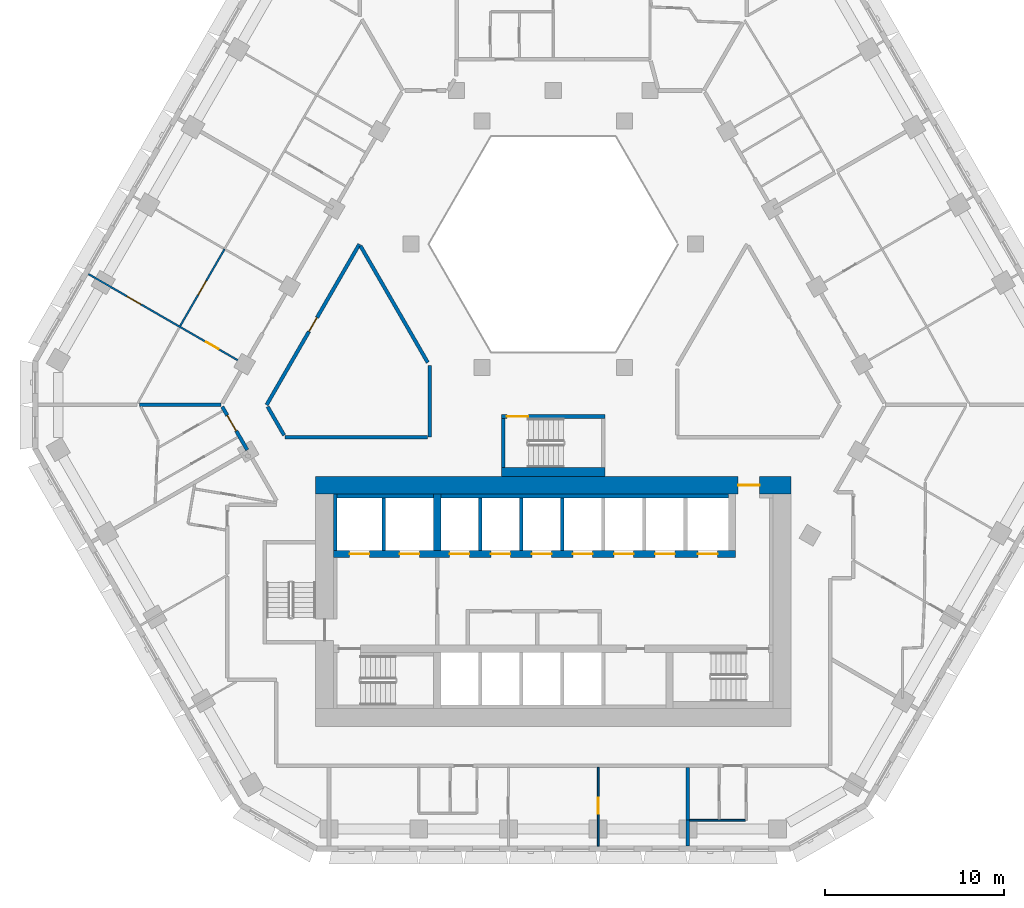
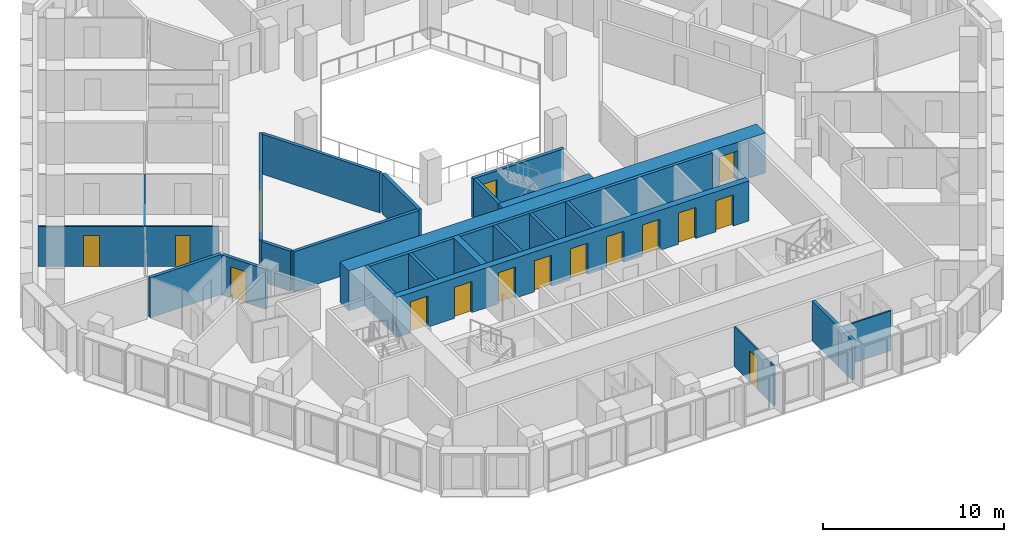
# One storey, part 5 of 18: 26 walls, 17 doors, 17 openings.
"""IFC4 building model written with IfcOpenShell, lengths in metres."""

from ifc_helpers import new_model, si_unit, direction, frame, frame_2d, origin, place, context, subcontext, project, spatial, rectangle, extrude, material, layer, layer_set, type_object, element, fill, save


model = new_model("IFC4")

# Units and contexts
model_context = context("Model", 3, precision=1e-05, world=origin(), true_north=direction((0.0, 1.0)))
body_context = subcontext(model_context, "Body", "Model", "MODEL_VIEW")
ifc_project = project(units=[si_unit("LENGTHUNIT", "METRE"), si_unit("AREAUNIT", "SQUARE_METRE"), si_unit("VOLUMEUNIT", "CUBIC_METRE"), si_unit("PLANEANGLEUNIT", "RADIAN"), si_unit("MASSUNIT", "GRAM", prefix="KILO")], contexts=[model_context])

# Site, building, storey
site_placement = place(None, origin())
site = spatial("IfcSite", under=ifc_project, at=site_placement, CompositionType="ELEMENT")
building_placement = place(site_placement, origin())
building = spatial("IfcBuilding", under=site, at=building_placement, Name="Beryl Residences", CompositionType="ELEMENT")
storey_placement = place(building_placement, frame((0.0, 0.0, 99.0)))
storey = spatial("IfcBuildingStorey", under=building, at=storey_placement, Name="L30", CompositionType="ELEMENT", Elevation=99.0)

# Wall, openings, doors
ifc_material_1 = material(Name="Gypsum board partition on steel studs", Category="steel")
ifc_layer_1 = layer(ifc_material_1, 0.10009765625)
ifc_layer_set_1 = layer_set([ifc_layer_1], Name="PT1 partition 100 mm gypsum board on steel studs")
wall_type_1 = type_object("IfcWallType", Name="PT1 partition 100 mm gypsum board on steel studs", PredefinedType="PARTITIONING", material=ifc_layer_set_1)
wall_1_placement = place(storey_placement, frame((-26.02490234375, 6.324951171875, 0.0), z_axis=(0.0, 0.0, 1.0), x_axis=(0.866041268327, -0.499972520799, 0.0)))
wall_1 = element("IfcWall", 1, at=wall_1_placement, inside=storey, type_object=wall_type_1, Name="Wall PT1 L30 018", PredefinedType="PARTITIONING", context=body_context, shape_type="SweptSolid", body=[
    extrude(rectangle(XDim=10.00048828125, YDim=0.10009765625, at=frame_2d((5.000244140625, 0.0))), origin(), (0.0, 0.0, 1.0), 2.699951171875),
])
opening_1_placement = place(wall_1_placement, frame((7.60107421875, 0.0, 0.0)))
opening_1 = element("IfcOpeningElement", 2, at=opening_1_placement, cuts=wall_1, Name="Opening D0751", PredefinedType="OPENING", context=body_context, shape_type="SweptSolid", body=[
    extrude(rectangle(XDim=0.800048828125, YDim=2.10009765625, at=frame_2d((0.39990234375, 1.050048828125))), frame((0.0, 0.06005859375, 0.0), z_axis=(0.0, -1.0, 0.0), x_axis=(1.0, 0.0, 0.0)), (0.0, 0.0, 1.0), 0.1201171875),
])
opening_2_placement = place(wall_1_placement, frame((2.5, 0.0, 0.0)))
opening_2 = element("IfcOpeningElement", 3, at=opening_2_placement, cuts=wall_1, Name="Opening D0753", PredefinedType="OPENING", context=body_context, shape_type="SweptSolid", body=[
    extrude(rectangle(XDim=0.89990234375, YDim=2.10009765625, at=frame_2d((0.449951171875, 1.050048828125))), frame((0.0, 0.06005859375, 0.0), z_axis=(0.0, -1.0, 0.0), x_axis=(1.0, 0.0, 0.0)), (0.0, 0.0, 1.0), 0.1201171875),
])
ifc_material_2 = material(Name="Timber door leaf", Category="wood")
door_type_1 = type_object("IfcDoorType", Name="D2 room door 900 x 2100 mm", OperationType="SINGLE_SWING_LEFT", PredefinedType="DOOR", material=ifc_material_2)
door_1_placement = place(opening_2_placement, origin())
door_1 = element("IfcDoor", 4, at=door_1_placement, inside=storey, type_object=door_type_1, Name="Door D0753 L30 001", OperationType="SINGLE_SWING_LEFT", OverallHeight=2.10009765625, OverallWidth=0.89990234375, PredefinedType="DOOR", context=body_context, shape_type="SweptSolid", body=[
    extrude(rectangle(XDim=0.89990234375, YDim=2.10009765625, at=frame_2d((0.449951171875, 1.050048828125))), frame((0.0, 0.02490234375, 0.0), z_axis=(0.0, -1.0, 0.0), x_axis=(1.0, 0.0, 0.0)), (0.0, 0.0, 1.0), 0.050048828125),
])
fill(opening_2, door_1)
ifc_material_3 = material(Name="Timber door leaf", Category="wood")
door_type_2 = type_object("IfcDoorType", Name="D3 bathroom door 800 x 2100 mm", OperationType="SINGLE_SWING_LEFT", PredefinedType="DOOR", material=ifc_material_3)
door_2_placement = place(opening_1_placement, origin())
door_2 = element("IfcDoor", 5, at=door_2_placement, inside=storey, type_object=door_type_2, Name="Door D0751 L30 001", OperationType="SINGLE_SWING_LEFT", OverallHeight=2.10009765625, OverallWidth=0.800048828125, PredefinedType="DOOR", context=body_context, shape_type="SweptSolid", body=[
    extrude(rectangle(XDim=0.800048828125, YDim=2.10009765625, at=frame_2d((0.39990234375, 1.050048828125))), frame((0.0, 0.02490234375, 0.0), z_axis=(0.0, -1.0, 0.0), x_axis=(1.0, 0.0, 0.0)), (0.0, 0.0, 1.0), 0.050048828125),
])
fill(opening_1, door_2)

# Wall
wall_2_placement = place(storey_placement, frame((7.635009765625, -24.260009765625, 0.0), z_axis=(0.0, 0.0, 1.0), x_axis=(1.0, 0.0, 0.0)))
element("IfcWall", 6, at=wall_2_placement, inside=storey, type_object=wall_type_1, Name="Wall PT1 L30 028", PredefinedType="PARTITIONING", context=body_context, shape_type="SweptSolid", body=[
    extrude(rectangle(XDim=3.114013671875, YDim=0.10009765625, at=frame_2d((1.55712890625, 0.0))), origin(), (0.0, 0.0, 1.0), 2.699951171875),
])

# Wall, opening, door
wall_3_placement = place(storey_placement, frame((-20.889892578125, 3.41796875, 0.0), z_axis=(0.0, 0.0, 1.0), x_axis=(0.500014231302, 0.866017187182, 0.0)))
wall_3 = element("IfcWall", 7, at=wall_3_placement, inside=storey, type_object=wall_type_1, Name="Wall PT1 L30 032", PredefinedType="PARTITIONING", context=body_context, shape_type="SweptSolid", body=[
    extrude(rectangle(XDim=4.973388671875, YDim=0.10009765625, at=frame_2d((2.48681640625, 0.0))), origin(), (0.0, 0.0, 1.0), 2.699951171875),
])
opening_3_placement = place(wall_3_placement, frame((2.010986328125, 0.0, 0.0)))
opening_3 = element("IfcOpeningElement", 8, at=opening_3_placement, cuts=wall_3, Name="Opening D0750", PredefinedType="OPENING", context=body_context, shape_type="SweptSolid", body=[
    extrude(rectangle(XDim=0.89990234375, YDim=2.10009765625, at=frame_2d((0.449951171875, 1.050048828125))), frame((0.0, 0.06005859375, 0.0), z_axis=(0.0, -1.0, 0.0), x_axis=(1.0, 0.0, 0.0)), (0.0, 0.0, 1.0), 0.1201171875),
])
door_3_placement = place(opening_3_placement, origin())
door_3 = element("IfcDoor", 9, at=door_3_placement, inside=storey, type_object=door_type_1, Name="Door D0750 L30 001", OperationType="SINGLE_SWING_RIGHT", OverallHeight=2.10009765625, OverallWidth=0.89990234375, PredefinedType="DOOR", context=body_context, shape_type="SweptSolid", body=[
    extrude(rectangle(XDim=0.89990234375, YDim=2.10009765625, at=frame_2d((0.449951171875, 1.050048828125))), frame((0.0, 0.02490234375, 0.0), z_axis=(0.0, -1.0, 0.0), x_axis=(1.0, 0.0, 0.0)), (0.0, 0.0, 1.0), 0.050048828125),
])
fill(opening_3, door_3)

wall_4_placement = place(storey_placement, frame((2.511962890625, -25.699951171875, 0.0), z_axis=(0.0, 0.0, 1.0), x_axis=(0.0, 1.0, 0.0)))
wall_4 = element("IfcWall", 10, at=wall_4_placement, inside=storey, type_object=wall_type_1, Name="Wall PT1 L30 044", PredefinedType="PARTITIONING", context=body_context, shape_type="SweptSolid", body=[
    extrude(rectangle(XDim=4.39990234375, YDim=0.10009765625, at=frame_2d((2.199951171875, 0.0))), origin(), (0.0, 0.0, 1.0), 2.699951171875),
])
opening_4_placement = place(wall_4_placement, frame((1.800048828125, 0.0, 0.0)))
opening_4 = element("IfcOpeningElement", 11, at=opening_4_placement, cuts=wall_4, Name="Opening D0710", PredefinedType="OPENING", context=body_context, shape_type="SweptSolid", body=[
    extrude(rectangle(XDim=0.89990234375, YDim=2.10009765625, at=frame_2d((0.449951171875, 1.050048828125))), frame((0.0, 0.06005859375, 0.0), z_axis=(0.0, -1.0, 0.0), x_axis=(1.0, 0.0, 0.0)), (0.0, 0.0, 1.0), 0.1201171875),
])
door_4_placement = place(opening_4_placement, origin())
door_4 = element("IfcDoor", 12, at=door_4_placement, inside=storey, type_object=door_type_1, Name="Door D0710 L30 001", OperationType="SINGLE_SWING_RIGHT", OverallHeight=2.10009765625, OverallWidth=0.89990234375, PredefinedType="DOOR", context=body_context, shape_type="SweptSolid", body=[
    extrude(rectangle(XDim=0.89990234375, YDim=2.10009765625, at=frame_2d((0.449951171875, 1.050048828125))), frame((0.0, 0.02490234375, 0.0), z_axis=(0.0, -1.0, 0.0), x_axis=(1.0, 0.0, 0.0)), (0.0, 0.0, 1.0), 0.050048828125),
])
fill(opening_4, door_4)

# Walls
ifc_material_4 = material(Name="Acoustic double stud gypsum board wall")
ifc_layer_2 = layer(ifc_material_4, 0.199951171875)
ifc_layer_set_2 = layer_set([ifc_layer_2], Name="PT3 party wall 200 mm acoustic double stud")
wall_type_2 = type_object("IfcWallType", Name="PT3 party wall 200 mm acoustic double stud", PredefinedType="PARTITIONING", material=ifc_layer_set_2)
wall_5_placement = place(storey_placement, frame((7.534912109375, -21.300048828125, 0.0), z_axis=(0.0, 0.0, 1.0), x_axis=(0.0, -1.0, 0.0)))
element("IfcWall", 13, at=wall_5_placement, inside=storey, type_object=wall_type_2, Name="Wall PT3 L30 003", PredefinedType="PARTITIONING", context=body_context, shape_type="SweptSolid", body=[
    extrude(rectangle(XDim=2.97998046875, YDim=0.199951171875, at=frame_2d((1.489990234375, 0.0))), origin(), (0.0, 0.0, 1.0), 2.699951171875),
])
wall_6_placement = place(storey_placement, frame((-23.1640625, -1.0009765625, 0.0), z_axis=(0.0, 0.0, 1.0), x_axis=(1.0, 0.0, 0.0)))
element("IfcWall", 14, at=wall_6_placement, inside=storey, type_object=wall_type_2, Name="Wall PT3 L30 009", PredefinedType="PARTITIONING", context=body_context, shape_type="SweptSolid", body=[
    extrude(rectangle(XDim=4.572998046875, YDim=0.199951171875, at=frame_2d((2.28662109375, 0.0))), origin(), (0.0, 0.0, 1.0), 2.699951171875),
])
wall_7_placement = place(storey_placement, frame((7.534912109375, -25.699951171875, 0.0), z_axis=(0.0, 0.0, 1.0), x_axis=(0.0, 1.0, 0.0)))
element("IfcWall", 15, at=wall_7_placement, inside=storey, type_object=wall_type_2, Name="Wall PT3 L30 013", PredefinedType="PARTITIONING", context=body_context, shape_type="SweptSolid", body=[
    extrude(rectangle(XDim=1.4599609375, YDim=0.199951171875, at=frame_2d((0.72998046875, 0.0))), origin(), (0.0, 0.0, 1.0), 2.699951171875),
])
ifc_material_5 = material(Name="Double stud gypsum board wall")
ifc_layer_3 = layer(ifc_material_5, 0.199951171875)
ifc_layer_set_3 = layer_set([ifc_layer_3], Name="PT4 corridor wall 200 mm double stud")
wall_type_3 = type_object("IfcWallType", Name="PT4 corridor wall 200 mm double stud", PredefinedType="PARTITIONING", material=ifc_layer_set_3)
wall_8_placement = place(storey_placement, frame((-10.7958984375, 7.89892578125, 0.0), z_axis=(0.0, 0.0, 1.0), x_axis=(0.500010383074, -0.866019409031, 0.0)))
element("IfcWall", 16, at=wall_8_placement, inside=storey, type_object=wall_type_3, Name="Wall PT4 L30 001", PredefinedType="PARTITIONING", context=body_context, shape_type="SweptSolid", body=[
    extrude(rectangle(XDim=7.535400390625, YDim=0.199951171875, at=frame_2d((3.767578125, 0.0))), origin(), (0.0, 0.0, 1.0), 2.699951171875),
])
wall_9_placement = place(storey_placement, frame((-15.992919921875, -1.10107421875, 0.0), z_axis=(0.0, 0.0, 1.0), x_axis=(0.499894174133, -0.866086493757, 0.0)))
element("IfcWall", 17, at=wall_9_placement, inside=storey, type_object=wall_type_3, Name="Wall PT4 L30 002", PredefinedType="PARTITIONING", context=body_context, shape_type="SweptSolid", body=[
    extrude(rectangle(XDim=1.84619140625, YDim=0.199951171875, at=frame_2d((0.923095703125, 0.0))), origin(), (0.0, 0.0, 1.0), 2.699951171875),
])

# Wall, opening, door
wall_10_placement = place(storey_placement, frame((-18.532958984375, -1.10107421875, 0.0), z_axis=(0.0, 0.0, 1.0), x_axis=(0.500135180047, -0.865947343479, 0.0)))
wall_10 = element("IfcWall", 18, at=wall_10_placement, inside=storey, type_object=wall_type_3, Name="Wall PT4 L30 003", PredefinedType="PARTITIONING", context=body_context, shape_type="SweptSolid", body=[
    extrude(rectangle(XDim=2.799072265625, YDim=0.199951171875, at=frame_2d((1.3994140625, 0.0))), origin(), (0.0, 0.0, 1.0), 2.699951171875),
])
opening_5_placement = place(wall_10_placement, frame((0.56201171875, 0.0, 0.0)))
opening_5 = element("IfcOpeningElement", 19, at=opening_5_placement, cuts=wall_10, Name="Opening D0755", PredefinedType="OPENING", context=body_context, shape_type="SweptSolid", body=[
    extrude(rectangle(XDim=1.0, YDim=2.10009765625, at=frame_2d((0.5, 1.050048828125))), frame((0.0, 0.10986328125, 0.0), z_axis=(0.0, -1.0, 0.0), x_axis=(1.0, 0.0, 0.0)), (0.0, 0.0, 1.0), 0.219970703125),
])
ifc_material_6 = material(Name="Timber door leaf", Category="wood")
door_type_3 = type_object("IfcDoorType", Name="D1 flat entrance door 1000 x 2100 mm", OperationType="SINGLE_SWING_LEFT", PredefinedType="DOOR", material=ifc_material_6)
door_5_placement = place(opening_5_placement, origin())
door_5 = element("IfcDoor", 20, at=door_5_placement, inside=storey, type_object=door_type_3, Name="Door D0755 L30 001", OperationType="SINGLE_SWING_LEFT", OverallHeight=2.10009765625, OverallWidth=1.0, PredefinedType="DOOR", context=body_context, shape_type="SweptSolid", body=[
    extrude(rectangle(XDim=1.0, YDim=2.10009765625, at=frame_2d((0.5, 1.050048828125))), frame((0.0, 0.02490234375, 0.0), z_axis=(0.0, -1.0, 0.0), x_axis=(1.0, 0.0, 0.0)), (0.0, 0.0, 1.0), 0.050048828125),
])
fill(opening_5, door_5)

# Wall
wall_11_placement = place(storey_placement, frame((-15.010986328125, -2.800048828125, 0.0), z_axis=(0.0, 0.0, 1.0), x_axis=(1.0, 0.0, 0.0)))
element("IfcWall", 21, at=wall_11_placement, inside=storey, type_object=wall_type_3, Name="Wall PT4 L30 017", PredefinedType="PARTITIONING", context=body_context, shape_type="SweptSolid", body=[
    extrude(rectangle(XDim=7.98193359375, YDim=0.199951171875, at=frame_2d((3.990966796875, 0.0))), origin(), (0.0, 0.0, 1.0), 2.699951171875),
])

# Wall, opening, door
wall_12_placement = place(storey_placement, frame((-16.050048828125, -1.0, 0.0), z_axis=(0.0, 0.0, 1.0), x_axis=(0.499962449088, 0.866047082728, 0.0)))
wall_12 = element("IfcWall", 22, at=wall_12_placement, inside=storey, type_object=wall_type_3, Name="Wall PT4 L30 026", PredefinedType="PARTITIONING", context=body_context, shape_type="SweptSolid", body=[
    extrude(rectangle(XDim=10.390869140625, YDim=0.199951171875, at=frame_2d((5.1953125, 0.0))), origin(), (0.0, 0.0, 1.0), 2.699951171875),
])
opening_6_placement = place(wall_12_placement, frame((4.7451171875, 0.0, 0.0)))
opening_6 = element("IfcOpeningElement", 23, at=opening_6_placement, cuts=wall_12, Name="Opening D0759", PredefinedType="OPENING", context=body_context, shape_type="SweptSolid", body=[
    extrude(rectangle(XDim=0.89990234375, YDim=2.10009765625, at=frame_2d((0.449951171875, 1.050048828125))), frame((0.0, 0.10986328125, 0.0), z_axis=(0.0, -1.0, 0.0), x_axis=(1.0, 0.0, 0.0)), (0.0, 0.0, 1.0), 0.219970703125),
])
door_6_placement = place(opening_6_placement, origin())
door_6 = element("IfcDoor", 24, at=door_6_placement, inside=storey, type_object=door_type_1, Name="Door D0759 L30 001", OperationType="SINGLE_SWING_LEFT", OverallHeight=2.10009765625, OverallWidth=0.89990234375, PredefinedType="DOOR", context=body_context, shape_type="SweptSolid", body=[
    extrude(rectangle(XDim=0.89990234375, YDim=2.10009765625, at=frame_2d((0.449951171875, 1.050048828125))), frame((0.0, 0.02490234375, 0.0), z_axis=(0.0, -1.0, 0.0), x_axis=(1.0, 0.0, 0.0)), (0.0, 0.0, 1.0), 0.050048828125),
])
fill(opening_6, door_6)

# Wall
wall_13_placement = place(storey_placement, frame((-6.927978515625, -2.799072265625, 0.0), z_axis=(0.0, 0.0, 1.0), x_axis=(0.0, 1.0, 0.0)))
element("IfcWall", 25, at=wall_13_placement, inside=storey, type_object=wall_type_3, Name="Wall PT4 L30 032", PredefinedType="PARTITIONING", context=body_context, shape_type="SweptSolid", body=[
    extrude(rectangle(XDim=3.9990234375, YDim=0.199951171875, at=frame_2d((1.99951171875, 0.0))), origin(), (0.0, 0.0, 1.0), 2.699951171875),
])

# Wall, opening, door
ifc_material_7 = material(Name="Concrete C40/50", Category="concrete")
ifc_layer_4 = layer(ifc_material_7, 0.199951171875)
ifc_layer_set_4 = layer_set([ifc_layer_4], Name="PT5 stair enclosure wall 200 mm reinforced concrete C40/50")
wall_type_4 = type_object("IfcWallType", Name="PT5 stair enclosure wall 200 mm reinforced concrete C40/50", PredefinedType="SOLIDWALL", material=ifc_layer_set_4)
wall_14_placement = place(storey_placement, frame((-2.89990234375, -1.64990234375, 0.0), z_axis=(0.0, 0.0, 1.0), x_axis=(1.0, 0.0, 0.0)))
wall_14 = element("IfcWall", 26, at=wall_14_placement, inside=storey, type_object=wall_type_4, Name="Wall PT5 L30 001", PredefinedType="SOLIDWALL", context=body_context, shape_type="SweptSolid", body=[
    extrude(rectangle(XDim=5.7998046875, YDim=0.199951171875, at=frame_2d((2.89990234375, 0.0))), origin(), (0.0, 0.0, 1.0), 2.699951171875),
])
opening_7_placement = place(wall_14_placement, frame((0.300048828125, 0.0, 0.0)))
opening_7 = element("IfcOpeningElement", 27, at=opening_7_placement, cuts=wall_14, Name="Opening DS04", PredefinedType="OPENING", context=body_context, shape_type="SweptSolid", body=[
    extrude(rectangle(XDim=1.199951171875, YDim=2.10009765625, at=frame_2d((0.60009765625, 1.050048828125))), frame((0.0, 0.10986328125, 0.0), z_axis=(0.0, -1.0, 0.0), x_axis=(1.0, 0.0, 0.0)), (0.0, 0.0, 1.0), 0.219970703125),
])
ifc_material_8 = material(Name="Steel door leaf in steel frame", Category="steel")
door_type_4 = type_object("IfcDoorType", Name="D4 stair door 1200 x 2100 mm", OperationType="SINGLE_SWING_LEFT", PredefinedType="DOOR", material=ifc_material_8)
door_7_placement = place(opening_7_placement, origin())
door_7 = element("IfcDoor", 28, at=door_7_placement, inside=storey, type_object=door_type_4, Name="Door DS04 L30 001", OperationType="SINGLE_SWING_LEFT", OverallHeight=2.10009765625, OverallWidth=1.199951171875, PredefinedType="DOOR", context=body_context, shape_type="SweptSolid", body=[
    extrude(rectangle(XDim=1.199951171875, YDim=2.10009765625, at=frame_2d((0.60009765625, 1.050048828125))), frame((0.0, 0.02490234375, 0.0), z_axis=(0.0, -1.0, 0.0), x_axis=(1.0, 0.0, 0.0)), (0.0, 0.0, 1.0), 0.050048828125),
])
fill(opening_7, door_7)

# Walls
wall_15_placement = place(storey_placement, frame((-2.800048828125, -4.5, 0.0), z_axis=(0.0, 0.0, 1.0), x_axis=(0.0, 1.0, 0.0)))
element("IfcWall", 29, at=wall_15_placement, inside=storey, type_object=wall_type_4, Name="Wall PT5 L30 002", PredefinedType="SOLIDWALL", context=body_context, shape_type="SweptSolid", body=[
    extrude(rectangle(XDim=2.75, YDim=0.199951171875, at=frame_2d((1.375, 0.0))), origin(), (0.0, 0.0, 1.0), 2.699951171875),
])
ifc_material_9 = material(Name="Concrete C40/50", Category="concrete")
ifc_layer_5 = layer(ifc_material_9, 0.5)
ifc_layer_set_5 = layer_set([ifc_layer_5], Name="PT5-500 stair enclosure wall 500 mm")
wall_type_5 = type_object("IfcWallType", Name="PT5-500 stair enclosure wall 500 mm", PredefinedType="SOLIDWALL", material=ifc_layer_set_5)
wall_16_placement = place(storey_placement, frame((-2.89990234375, -4.75, 0.0), z_axis=(0.0, 0.0, 1.0), x_axis=(1.0, 0.0, 0.0)))
element("IfcWall", 30, at=wall_16_placement, inside=storey, type_object=wall_type_5, Name="Wall PT5-500 L30 001", PredefinedType="SOLIDWALL", context=body_context, shape_type="SweptSolid", body=[
    extrude(rectangle(XDim=5.7998046875, YDim=0.5, at=frame_2d((2.89990234375, 0.0))), origin(), (0.0, 0.0, 1.0), 2.699951171875),
])
ifc_material_10 = material(Name="Concrete C40/50", Category="concrete")
ifc_layer_6 = layer(ifc_material_10, 0.199951171875)
ifc_layer_set_6 = layer_set([ifc_layer_6], Name="PT6 lift shaft wall 200 mm reinforced concrete C40/50")
wall_type_6 = type_object("IfcWallType", Name="PT6 lift shaft wall 200 mm reinforced concrete C40/50", PredefinedType="SOLIDWALL", material=ifc_layer_set_6)
wall_17_placement = place(storey_placement, frame((-12.199951171875, -9.14990234375, 0.0), z_axis=(0.0, 0.0, 1.0), x_axis=(0.0, 1.0, 0.0)))
element("IfcWall", 31, at=wall_17_placement, inside=storey, type_object=wall_type_6, Name="Lift shaft wall 06", PredefinedType="SOLIDWALL", context=body_context, shape_type="SweptSolid", body=[
    extrude(rectangle(XDim=3.14990234375, YDim=0.199951171875, at=frame_2d((1.574951171875, 0.0))), origin(), (0.0, 0.0, 1.0), 2.699951171875),
])
wall_18_placement = place(storey_placement, frame((-12.10009765625, -6.10009765625, 0.0), z_axis=(0.0, 0.0, 1.0), x_axis=(1.0, 0.0, 0.0)))
element("IfcWall", 32, at=wall_18_placement, inside=storey, type_object=wall_type_6, Name="Lift shaft wall 08", PredefinedType="SOLIDWALL", context=body_context, shape_type="SweptSolid", body=[
    extrude(rectangle(XDim=5.400146484375, YDim=0.199951171875, at=frame_2d((2.7001953125, 0.0))), origin(), (0.0, 0.0, 1.0), 2.699951171875),
])
wall_19_placement = place(storey_placement, frame((-9.5, -9.14990234375, 0.0), z_axis=(0.0, 0.0, 1.0), x_axis=(0.0, 1.0, 0.0)))
element("IfcWall", 33, at=wall_19_placement, inside=storey, type_object=wall_type_6, Name="Lift shaft wall 10", PredefinedType="SOLIDWALL", context=body_context, shape_type="SweptSolid", body=[
    extrude(rectangle(XDim=2.949951171875, YDim=0.199951171875, at=frame_2d((1.47509765625, 0.0))), origin(), (0.0, 0.0, 1.0), 2.699951171875),
])
wall_20_placement = place(storey_placement, frame((-6.300048828125, -6.10009765625, 0.0), z_axis=(0.0, 0.0, 1.0), x_axis=(1.0, 0.0, 0.0)))
element("IfcWall", 34, at=wall_20_placement, inside=storey, type_object=wall_type_6, Name="Lift shaft wall 13", PredefinedType="SOLIDWALL", context=body_context, shape_type="SweptSolid", body=[
    extrude(rectangle(XDim=16.10009765625, YDim=0.199951171875, at=frame_2d((8.050048828125, 0.0))), origin(), (0.0, 0.0, 1.0), 2.699951171875),
])
for number, where, z_axis, x_axis, name in (
    (35, (-4.10009765625, -9.14990234375, 0.0), (0.0, 0.0, 1.0), (0.0, 1.0, 0.0), "Lift shaft wall 17"),
    (36, (-1.800048828125, -9.14990234375, 0.0), (0.0, 0.0, 1.0), (0.0, 1.0, 0.0), "Lift shaft wall 19"),
    (37, (0.5, -9.14990234375, 0.0), (0.0, 0.0, 1.0), (0.0, 1.0, 0.0), "Lift shaft wall 22"),
):
    element("IfcWall", number, at=place(storey_placement, frame(where, z_axis=z_axis, x_axis=x_axis)), inside=storey, type_object=wall_type_6, Name=name, PredefinedType="SOLIDWALL", context=body_context, shape_type="SweptSolid", body=[
        extrude(rectangle(XDim=2.949951171875, YDim=0.199951171875, at=frame_2d((1.47509765625, 0.0))), origin(), (0.0, 0.0, 1.0), 2.699951171875),
    ])

# Wall, opening, door
ifc_material_11 = material(Name="Concrete C70/85", Category="concrete")
ifc_layer_7 = layer(ifc_material_11, 1.0)
ifc_layer_set_7 = layer_set([ifc_layer_7], Name="SW2 core outer wall 1000 mm C70/85")
wall_type_7 = type_object("IfcWallType", Name="SW2 core outer wall 1000 mm C70/85", PredefinedType="SHEAR", material=ifc_layer_set_7)
wall_21_placement = place(storey_placement, frame((-13.300048828125, -5.5, 0.0), z_axis=(0.0, 0.0, 1.0), x_axis=(1.0, 0.0, 0.0)))
wall_21 = element("IfcWall", 38, at=wall_21_placement, inside=storey, type_object=wall_type_7, Name="Core wall N L30", PredefinedType="SHEAR", context=body_context, shape_type="SweptSolid", body=[
    extrude(rectangle(XDim=26.60009765625, YDim=1.0, at=frame_2d((13.300048828125, 0.0))), origin(), (0.0, 0.0, 1.0), 2.699951171875),
])
opening_8_placement = place(wall_21_placement, frame((23.64990234375, 0.0, 0.0)))
opening_8 = element("IfcOpeningElement", 39, at=opening_8_placement, cuts=wall_21, Name="Opening FD-NORTH", PredefinedType="OPENING", context=body_context, shape_type="SweptSolid", body=[
    extrude(rectangle(XDim=1.199951171875, YDim=2.10009765625, at=frame_2d((0.60009765625, 1.050048828125))), frame((0.0, 0.510009765625, 0.0), z_axis=(0.0, -1.0, 0.0), x_axis=(1.0, 0.0, 0.0)), (0.0, 0.0, 1.0), 1.02001953125),
])
ifc_material_12 = material(Name="Steel door leaf in steel frame", Category="steel")
door_type_5 = type_object("IfcDoorType", Name="D22 lobby door 1200 x 2100 mm", OperationType="DOUBLE_DOOR_SINGLE_SWING", PredefinedType="DOOR", material=ifc_material_12)
door_8_placement = place(opening_8_placement, origin())
door_8 = element("IfcDoor", 40, at=door_8_placement, inside=storey, type_object=door_type_5, Name="Door FD-NORTH L30 001", OperationType="DOUBLE_DOOR_SINGLE_SWING", OverallHeight=2.10009765625, OverallWidth=1.199951171875, PredefinedType="DOOR", context=body_context, shape_type="SweptSolid", body=[
    extrude(rectangle(XDim=1.199951171875, YDim=2.10009765625, at=frame_2d((0.60009765625, 1.050048828125))), frame((0.0, 0.02490234375, 0.0), z_axis=(0.0, -1.0, 0.0), x_axis=(1.0, 0.0, 0.0)), (0.0, 0.0, 1.0), 0.050048828125),
])
fill(opening_8, door_8)

# Wall, openings, doors
ifc_material_13 = material(Name="Concrete C70/85", Category="concrete")
ifc_layer_8 = layer(ifc_material_13, 0.39990234375)
ifc_layer_set_8 = layer_set([ifc_layer_8], Name="SW7 core internal wall 400 mm C70/85")
wall_type_8 = type_object("IfcWallType", Name="SW7 core internal wall 400 mm C70/85", PredefinedType="SHEAR", material=ifc_layer_set_8)
wall_22_placement = place(storey_placement, frame((-12.300048828125, -9.35009765625, 0.0), z_axis=(0.0, 0.0, 1.0), x_axis=(1.0, 0.0, 0.0)))
wall_22 = element("IfcWall", 41, at=wall_22_placement, inside=storey, type_object=wall_type_8, Name="Core wall SP2 L30", PredefinedType="SHEAR", context=body_context, shape_type="SweptSolid", body=[
    extrude(rectangle(XDim=22.5, YDim=0.39990234375, at=frame_2d((11.25, 0.0))), origin(), (0.0, 0.0, 1.0), 2.699951171875),
])
opening_9_placement = place(wall_22_placement, frame((0.89990234375, 0.0, 0.0)))
opening_9 = element("IfcOpeningElement", 42, at=opening_9_placement, cuts=wall_22, Name="Opening LD-FF1", PredefinedType="OPENING", context=body_context, shape_type="SweptSolid", body=[
    extrude(rectangle(XDim=1.10009765625, YDim=2.10009765625, at=frame_2d((0.550048828125, 1.050048828125))), frame((0.0, 0.2099609375, 0.0), z_axis=(0.0, -1.0, 0.0), x_axis=(1.0, 0.0, 0.0)), (0.0, 0.0, 1.0), 0.419921875),
])
opening_10_placement = place(wall_22_placement, frame((3.699951171875, 0.0, 0.0)))
opening_10 = element("IfcOpeningElement", 43, at=opening_10_placement, cuts=wall_22, Name="Opening LD-FF2", PredefinedType="OPENING", context=body_context, shape_type="SweptSolid", body=[
    extrude(rectangle(XDim=1.10009765625, YDim=2.10009765625, at=frame_2d((0.550048828125, 1.050048828125))), frame((0.0, 0.2099609375, 0.0), z_axis=(0.0, -1.0, 0.0), x_axis=(1.0, 0.0, 0.0)), (0.0, 0.0, 1.0), 0.419921875),
])
opening_11_placement = place(wall_22_placement, frame((6.5, 0.0, 0.0)))
opening_11 = element("IfcOpeningElement", 44, at=opening_11_placement, cuts=wall_22, Name="Opening LD-LR1", PredefinedType="OPENING", context=body_context, shape_type="SweptSolid", body=[
    extrude(rectangle(XDim=1.10009765625, YDim=2.10009765625, at=frame_2d((0.550048828125, 1.050048828125))), frame((0.0, 0.2099609375, 0.0), z_axis=(0.0, -1.0, 0.0), x_axis=(1.0, 0.0, 0.0)), (0.0, 0.0, 1.0), 0.419921875),
])
opening_12_placement = place(wall_22_placement, frame((8.800048828125, 0.0, 0.0)))
opening_12 = element("IfcOpeningElement", 45, at=opening_12_placement, cuts=wall_22, Name="Opening LD-LR2", PredefinedType="OPENING", context=body_context, shape_type="SweptSolid", body=[
    extrude(rectangle(XDim=1.10009765625, YDim=2.10009765625, at=frame_2d((0.550048828125, 1.050048828125))), frame((0.0, 0.2099609375, 0.0), z_axis=(0.0, -1.0, 0.0), x_axis=(1.0, 0.0, 0.0)), (0.0, 0.0, 1.0), 0.419921875),
])
opening_13_placement = place(wall_22_placement, frame((11.10009765625, 0.0, 0.0)))
opening_13 = element("IfcOpeningElement", 46, at=opening_13_placement, cuts=wall_22, Name="Opening LD-LR3", PredefinedType="OPENING", context=body_context, shape_type="SweptSolid", body=[
    extrude(rectangle(XDim=1.10009765625, YDim=2.10009765625, at=frame_2d((0.550048828125, 1.050048828125))), frame((0.0, 0.2099609375, 0.0), z_axis=(0.0, -1.0, 0.0), x_axis=(1.0, 0.0, 0.0)), (0.0, 0.0, 1.0), 0.419921875),
])
opening_14_placement = place(wall_22_placement, frame((13.39990234375, 0.0, 0.0)))
opening_14 = element("IfcOpeningElement", 47, at=opening_14_placement, cuts=wall_22, Name="Opening LD-LR4", PredefinedType="OPENING", context=body_context, shape_type="SweptSolid", body=[
    extrude(rectangle(XDim=1.10009765625, YDim=2.10009765625, at=frame_2d((0.550048828125, 1.050048828125))), frame((0.0, 0.2099609375, 0.0), z_axis=(0.0, -1.0, 0.0), x_axis=(1.0, 0.0, 0.0)), (0.0, 0.0, 1.0), 0.419921875),
])
opening_15_placement = place(wall_22_placement, frame((15.699951171875, 0.0, 0.0)))
opening_15 = element("IfcOpeningElement", 48, at=opening_15_placement, cuts=wall_22, Name="Opening LD-LR5", PredefinedType="OPENING", context=body_context, shape_type="SweptSolid", body=[
    extrude(rectangle(XDim=1.10009765625, YDim=2.10009765625, at=frame_2d((0.550048828125, 1.050048828125))), frame((0.0, 0.2099609375, 0.0), z_axis=(0.0, -1.0, 0.0), x_axis=(1.0, 0.0, 0.0)), (0.0, 0.0, 1.0), 0.419921875),
])
opening_16_placement = place(wall_22_placement, frame((18.0, 0.0, 0.0)))
opening_16 = element("IfcOpeningElement", 49, at=opening_16_placement, cuts=wall_22, Name="Opening LD-LR6", PredefinedType="OPENING", context=body_context, shape_type="SweptSolid", body=[
    extrude(rectangle(XDim=1.10009765625, YDim=2.10009765625, at=frame_2d((0.550048828125, 1.050048828125))), frame((0.0, 0.2099609375, 0.0), z_axis=(0.0, -1.0, 0.0), x_axis=(1.0, 0.0, 0.0)), (0.0, 0.0, 1.0), 0.419921875),
])
opening_17_placement = place(wall_22_placement, frame((20.39990234375, 0.0, 0.0)))
opening_17 = element("IfcOpeningElement", 50, at=opening_17_placement, cuts=wall_22, Name="Opening LD-SL1", PredefinedType="OPENING", context=body_context, shape_type="SweptSolid", body=[
    extrude(rectangle(XDim=1.10009765625, YDim=2.10009765625, at=frame_2d((0.550048828125, 1.050048828125))), frame((0.0, 0.2099609375, 0.0), z_axis=(0.0, -1.0, 0.0), x_axis=(1.0, 0.0, 0.0)), (0.0, 0.0, 1.0), 0.419921875),
])
ifc_material_14 = material(Name="Stainless steel sliding door", Category="steel")
door_type_6 = type_object("IfcDoorType", Name="LD1 lift landing door 1100 x 2100 mm", OperationType="DOUBLE_DOOR_SLIDING", PredefinedType="DOOR", material=ifc_material_14)
door_9_placement = place(opening_9_placement, origin())
door_9 = element("IfcDoor", 51, at=door_9_placement, inside=storey, type_object=door_type_6, Name="Lift landing door FF1", OperationType="DOUBLE_DOOR_SLIDING", OverallHeight=2.10009765625, OverallWidth=1.10009765625, PredefinedType="DOOR", context=body_context, shape_type="SweptSolid", body=[
    extrude(rectangle(XDim=1.10009765625, YDim=2.10009765625, at=frame_2d((0.550048828125, 1.050048828125))), frame((0.0, 0.02490234375, 0.0), z_axis=(0.0, -1.0, 0.0), x_axis=(1.0, 0.0, 0.0)), (0.0, 0.0, 1.0), 0.050048828125),
])
fill(opening_9, door_9)
door_10_placement = place(opening_10_placement, origin())
door_10 = element("IfcDoor", 52, at=door_10_placement, inside=storey, type_object=door_type_6, Name="Lift landing door FF2", OperationType="DOUBLE_DOOR_SLIDING", OverallHeight=2.10009765625, OverallWidth=1.10009765625, PredefinedType="DOOR", context=body_context, shape_type="SweptSolid", body=[
    extrude(rectangle(XDim=1.10009765625, YDim=2.10009765625, at=frame_2d((0.550048828125, 1.050048828125))), frame((0.0, 0.02490234375, 0.0), z_axis=(0.0, -1.0, 0.0), x_axis=(1.0, 0.0, 0.0)), (0.0, 0.0, 1.0), 0.050048828125),
])
fill(opening_10, door_10)
door_11_placement = place(opening_11_placement, origin())
door_11 = element("IfcDoor", 53, at=door_11_placement, inside=storey, type_object=door_type_6, Name="Lift landing door LR1", OperationType="DOUBLE_DOOR_SLIDING", OverallHeight=2.10009765625, OverallWidth=1.10009765625, PredefinedType="DOOR", context=body_context, shape_type="SweptSolid", body=[
    extrude(rectangle(XDim=1.10009765625, YDim=2.10009765625, at=frame_2d((0.550048828125, 1.050048828125))), frame((0.0, 0.02490234375, 0.0), z_axis=(0.0, -1.0, 0.0), x_axis=(1.0, 0.0, 0.0)), (0.0, 0.0, 1.0), 0.050048828125),
])
fill(opening_11, door_11)
door_12_placement = place(opening_12_placement, origin())
door_12 = element("IfcDoor", 54, at=door_12_placement, inside=storey, type_object=door_type_6, Name="Lift landing door LR2", OperationType="DOUBLE_DOOR_SLIDING", OverallHeight=2.10009765625, OverallWidth=1.10009765625, PredefinedType="DOOR", context=body_context, shape_type="SweptSolid", body=[
    extrude(rectangle(XDim=1.10009765625, YDim=2.10009765625, at=frame_2d((0.550048828125, 1.050048828125))), frame((0.0, 0.02490234375, 0.0), z_axis=(0.0, -1.0, 0.0), x_axis=(1.0, 0.0, 0.0)), (0.0, 0.0, 1.0), 0.050048828125),
])
fill(opening_12, door_12)
door_13_placement = place(opening_13_placement, origin())
door_13 = element("IfcDoor", 55, at=door_13_placement, inside=storey, type_object=door_type_6, Name="Lift landing door LR3", OperationType="DOUBLE_DOOR_SLIDING", OverallHeight=2.10009765625, OverallWidth=1.10009765625, PredefinedType="DOOR", context=body_context, shape_type="SweptSolid", body=[
    extrude(rectangle(XDim=1.10009765625, YDim=2.10009765625, at=frame_2d((0.550048828125, 1.050048828125))), frame((0.0, 0.02490234375, 0.0), z_axis=(0.0, -1.0, 0.0), x_axis=(1.0, 0.0, 0.0)), (0.0, 0.0, 1.0), 0.050048828125),
])
fill(opening_13, door_13)
door_14_placement = place(opening_14_placement, origin())
door_14 = element("IfcDoor", 56, at=door_14_placement, inside=storey, type_object=door_type_6, Name="Lift landing door LR4", OperationType="DOUBLE_DOOR_SLIDING", OverallHeight=2.10009765625, OverallWidth=1.10009765625, PredefinedType="DOOR", context=body_context, shape_type="SweptSolid", body=[
    extrude(rectangle(XDim=1.10009765625, YDim=2.10009765625, at=frame_2d((0.550048828125, 1.050048828125))), frame((0.0, 0.02490234375, 0.0), z_axis=(0.0, -1.0, 0.0), x_axis=(1.0, 0.0, 0.0)), (0.0, 0.0, 1.0), 0.050048828125),
])
fill(opening_14, door_14)
door_15_placement = place(opening_15_placement, origin())
door_15 = element("IfcDoor", 57, at=door_15_placement, inside=storey, type_object=door_type_6, Name="Lift landing door LR5", OperationType="DOUBLE_DOOR_SLIDING", OverallHeight=2.10009765625, OverallWidth=1.10009765625, PredefinedType="DOOR", context=body_context, shape_type="SweptSolid", body=[
    extrude(rectangle(XDim=1.10009765625, YDim=2.10009765625, at=frame_2d((0.550048828125, 1.050048828125))), frame((0.0, 0.02490234375, 0.0), z_axis=(0.0, -1.0, 0.0), x_axis=(1.0, 0.0, 0.0)), (0.0, 0.0, 1.0), 0.050048828125),
])
fill(opening_15, door_15)
door_16_placement = place(opening_16_placement, origin())
door_16 = element("IfcDoor", 58, at=door_16_placement, inside=storey, type_object=door_type_6, Name="Lift landing door LR6", OperationType="DOUBLE_DOOR_SLIDING", OverallHeight=2.10009765625, OverallWidth=1.10009765625, PredefinedType="DOOR", context=body_context, shape_type="SweptSolid", body=[
    extrude(rectangle(XDim=1.10009765625, YDim=2.10009765625, at=frame_2d((0.550048828125, 1.050048828125))), frame((0.0, 0.02490234375, 0.0), z_axis=(0.0, -1.0, 0.0), x_axis=(1.0, 0.0, 0.0)), (0.0, 0.0, 1.0), 0.050048828125),
])
fill(opening_16, door_16)
door_17_placement = place(opening_17_placement, origin())
door_17 = element("IfcDoor", 59, at=door_17_placement, inside=storey, type_object=door_type_6, Name="Lift landing door SL1", OperationType="DOUBLE_DOOR_SLIDING", OverallHeight=2.10009765625, OverallWidth=1.10009765625, PredefinedType="DOOR", context=body_context, shape_type="SweptSolid", body=[
    extrude(rectangle(XDim=1.10009765625, YDim=2.10009765625, at=frame_2d((0.550048828125, 1.050048828125))), frame((0.0, 0.02490234375, 0.0), z_axis=(0.0, -1.0, 0.0), x_axis=(1.0, 0.0, 0.0)), (0.0, 0.0, 1.0), 0.050048828125),
])
fill(opening_17, door_17)

# Wall
wall_23_placement = place(storey_placement, frame((-6.5, -9.14990234375, 0.0), z_axis=(0.0, 0.0, 1.0), x_axis=(0.0, 1.0, 0.0)))
element("IfcWall", 60, at=wall_23_placement, inside=storey, type_object=wall_type_8, Name="Core wall XN1 L30", PredefinedType="SHEAR", context=body_context, shape_type="SweptSolid", body=[
    extrude(rectangle(XDim=3.14990234375, YDim=0.39990234375, at=frame_2d((1.574951171875, 0.0))), origin(), (0.0, 0.0, 1.0), 2.699951171875),
])

save(model, "model.ifc")
